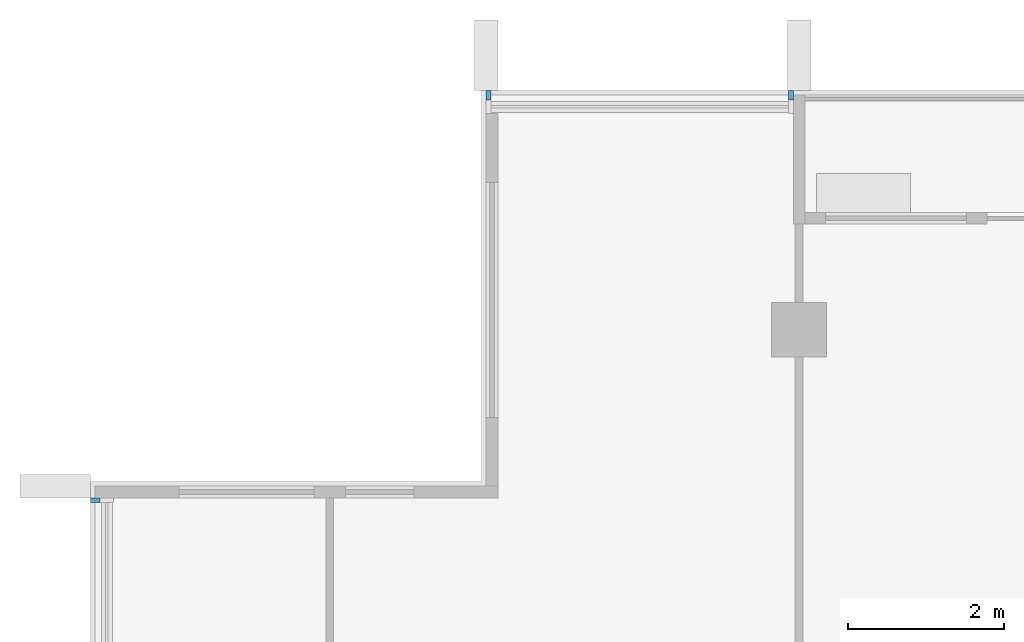
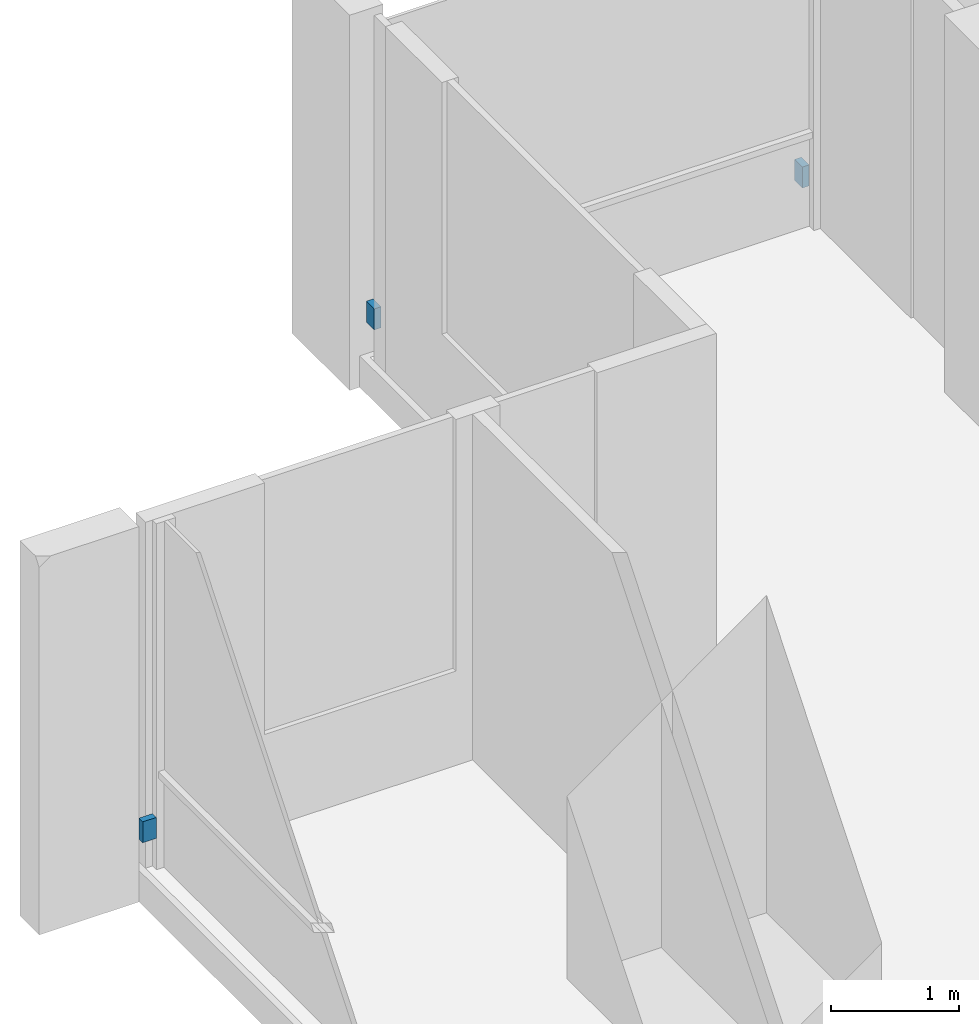
# One storey, part 14 of 16: 3 discrete accessories.
"""IFC4 building model written with IfcOpenShell, lengths in metres."""

from ifc_helpers import new_model, si_unit, direction, frame, origin, origin_2d, place, context, subcontext, project, spatial, rectangle, extrude, material, type_object, element, save


model = new_model("IFC4")

# Units and contexts
model_context = context("Model", 3, precision=1e-05, world=origin(), true_north=direction((0.0, 1.0)))
body_context = subcontext(model_context, "Body", "Model", "MODEL_VIEW")
ifc_project = project(units=[si_unit("LENGTHUNIT", "METRE"), si_unit("AREAUNIT", "SQUARE_METRE"), si_unit("VOLUMEUNIT", "CUBIC_METRE"), si_unit("PLANEANGLEUNIT", "RADIAN"), si_unit("MASSUNIT", "GRAM", prefix="KILO")], contexts=[model_context])

# Site, building, storey
site_placement = place(None, origin())
site = spatial("IfcSite", under=ifc_project, at=site_placement, CompositionType="ELEMENT")
building_placement = place(site_placement, origin())
building = spatial("IfcBuilding", under=site, at=building_placement, Name="Finial Court Residences", CompositionType="ELEMENT")
storey_placement = place(building_placement, frame((0.0, 0.0, 259.10009765625)))
storey = spatial("IfcBuildingStorey", under=building, at=storey_placement, Name="L65", CompositionType="ELEMENT", Elevation=259.10009765625)

# Discrete accessories
ifc_material = material(Name="Stainless steel 316", Category="steel")
discrete_accessory_type = type_object("IfcDiscreteAccessoryType", Name="Fin bracket, stainless steel 60 x 122 x 200", PredefinedType="BRACKET", material=ifc_material)
for number, where, z_axis, x_axis, name in (
    (1, (-14.469970703125, 16.498779296875, 0.2998046875), (0.0, 0.0, 1.0), (1.0, 0.0, 0.0), "E-L65-FIN-N1-BRK"),
    (2, (-10.60498046875, 16.498779296875, 0.2998046875), (0.0, 0.0, 1.0), (1.0, 0.0, 0.0), "E-L65-FIN-N2-BRK"),
):
    element("IfcDiscreteAccessory", number, at=place(storey_placement, frame(where, z_axis=z_axis, x_axis=x_axis)), inside=storey, type_object=discrete_accessory_type, Name=name, PredefinedType="BRACKET", context=body_context, shape_type="SweptSolid", body=[
        extrude(rectangle(XDim=0.06005859375, YDim=0.12255859375, at=origin_2d()), origin(), (0.0, 0.0, 1.0), 0.199951171875),
    ])
discrete_accessory_placement = place(storey_placement, frame((-19.498779296875, 11.320068359375, 0.2998046875), z_axis=(0.0, 0.0, 1.0), x_axis=(1.0, 0.0, 0.0)))
element("IfcDiscreteAccessory", 3, at=discrete_accessory_placement, inside=storey, type_object=discrete_accessory_type, Name="E-L65-FIN-W26-BRK", PredefinedType="BRACKET", context=body_context, shape_type="SweptSolid", body=[
    extrude(rectangle(XDim=0.12255859375, YDim=0.06005859375, at=origin_2d()), origin(), (0.0, 0.0, 1.0), 0.199951171875),
])

save(model, "model.ifc")
